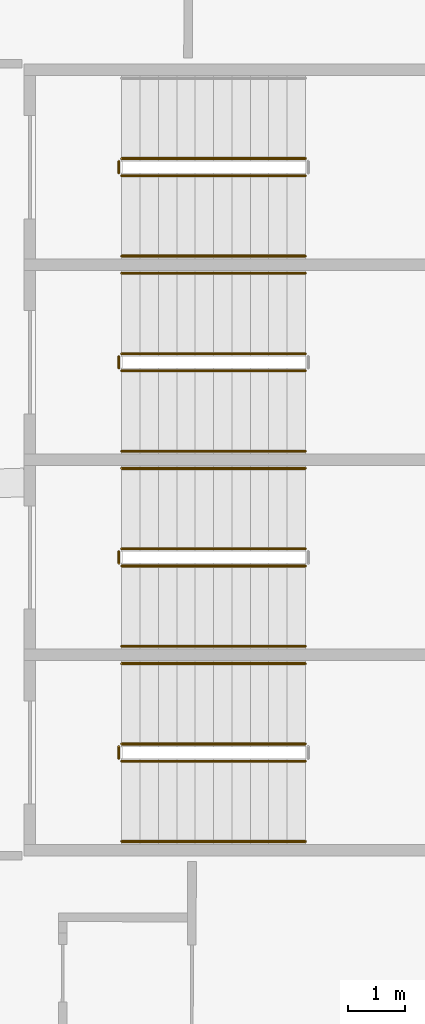
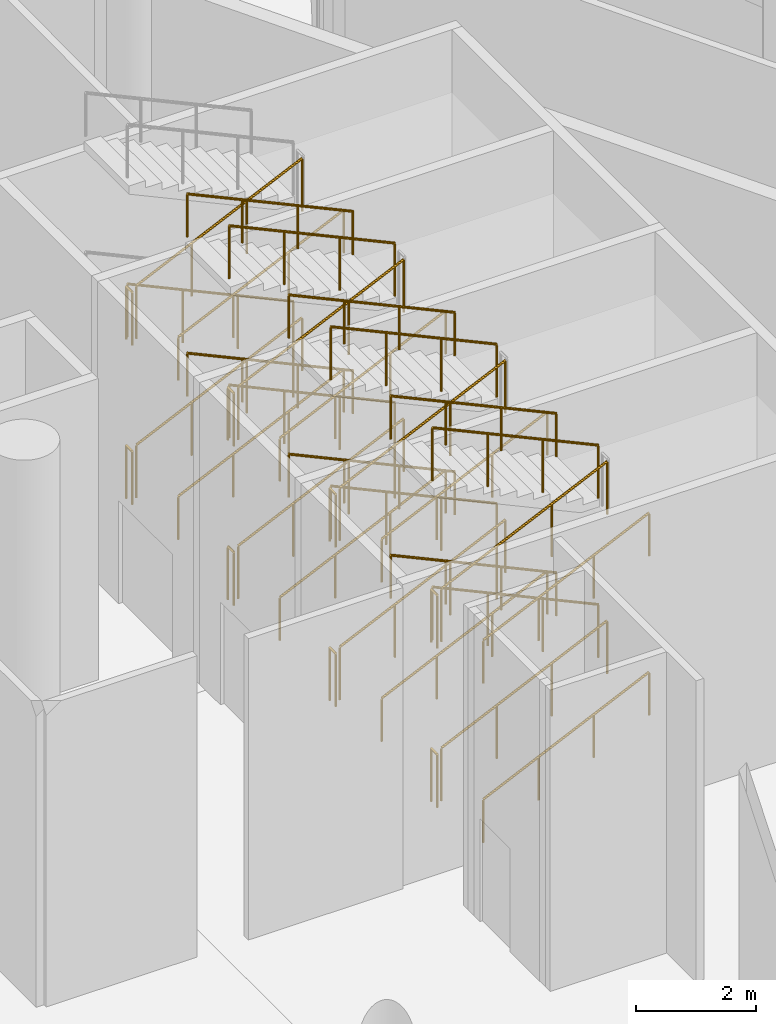
# One storey, part 242 of 255: 37 railings.
"""IFC4 building model written with IfcOpenShell, lengths in metres."""

from ifc_helpers import new_model, si_unit, direction, frame, origin, origin_2d, place, context, subcontext, project, spatial, circle, extrude, material, type_object, element, save


model = new_model("IFC4")

# Units and contexts
model_context = context("Model", 3, precision=1e-05, world=origin(), true_north=direction((0.0, 1.0)))
body_context = subcontext(model_context, "Body", "Model", "MODEL_VIEW")
ifc_project = project(units=[si_unit("LENGTHUNIT", "METRE"), si_unit("AREAUNIT", "SQUARE_METRE"), si_unit("VOLUMEUNIT", "CUBIC_METRE"), si_unit("PLANEANGLEUNIT", "RADIAN"), si_unit("MASSUNIT", "GRAM", prefix="KILO")], contexts=[model_context])

# Site, building, storey
site_placement = place(None, origin())
site = spatial("IfcSite", under=ifc_project, at=site_placement, CompositionType="ELEMENT")
building_placement = place(site_placement, origin())
building = spatial("IfcBuilding", under=site, at=building_placement, Name="Meseta Stadium", CompositionType="ELEMENT")
storey_placement = place(building_placement, origin())
storey = spatial("IfcBuildingStorey", under=building, at=storey_placement, Name="L00", CompositionType="ELEMENT", Elevation=0.0)

# Railings
ifc_material_1 = material(Name="Steel S355", Category="steel")
railing_type_1 = type_object("IfcRailingType", Name="Stair guard 1100", PredefinedType="GUARDRAIL", material=ifc_material_1)
railing_1_placement = place(storey_placement, frame((90.300048828125, 13.5, 0.147705078125)))
element("IfcRailing", 1, at=railing_1_placement, inside=storey, type_object=railing_type_1, Name="ST13 L00 guard 1", PredefinedType="GUARDRAIL", context=body_context, shape_type="SweptSolid", body=[
    extrude(circle(Radius=0.02392578125, at=origin_2d()), frame((0.0, 0.0, 1.076171875), z_axis=(0.907916804346, 0.0, 0.419150422148), x_axis=(0.0, 1.0, 0.0)), (0.0, 0.0, 1.0), 3.5244140625),
    extrude(circle(Radius=0.02099609375, at=origin_2d()), origin(), (0.0, 0.0, 1.0), 1.052001953125),
    extrude(circle(Radius=0.02099609375, at=origin_2d()), frame((1.066650390625, 0.0, 0.492431640625)), (0.0, 0.0, 1.0), 1.052001953125),
    extrude(circle(Radius=0.02099609375, at=origin_2d()), frame((2.13330078125, 0.0, 0.98486328125)), (0.0, 0.0, 1.0), 1.052001953125),
    extrude(circle(Radius=0.02099609375, at=origin_2d()), frame((3.199951171875, 0.0, 1.477294921875)), (0.0, 0.0, 1.0), 1.052001953125),
])
railing_2_placement = place(storey_placement, frame((93.5, 13.800048828125, 1.772705078125)))
element("IfcRailing", 2, at=railing_2_placement, inside=storey, type_object=railing_type_1, Name="ST13 L00 guard 3", PredefinedType="GUARDRAIL", context=body_context, shape_type="SweptSolid", body=[
    extrude(circle(Radius=0.02392578125, at=origin_2d()), frame((0.0, 0.0, 1.076171875), z_axis=(-0.907916804346, 0.0, 0.419150422148), x_axis=(0.0, -1.0, 0.0)), (0.0, 0.0, 1.0), 3.5244140625),
    extrude(circle(Radius=0.02099609375, at=origin_2d()), origin(), (0.0, 0.0, 1.0), 1.052001953125),
    extrude(circle(Radius=0.02099609375, at=origin_2d()), frame((-1.066650390625, 0.0, 0.492431640625)), (0.0, 0.0, 1.0), 1.052001953125),
    extrude(circle(Radius=0.02099609375, at=origin_2d()), frame((-2.13330078125, 0.0, 0.98486328125)), (0.0, 0.0, 1.0), 1.052001953125),
    extrude(circle(Radius=0.02099609375, at=origin_2d()), frame((-3.199951171875, 0.0, 1.477294921875)), (0.0, 0.0, 1.0), 1.052001953125),
])
railing_3_placement = place(storey_placement, frame((90.25, 13.550048828125, 3.25)))
element("IfcRailing", 3, at=railing_3_placement, inside=storey, type_object=railing_type_1, Name="ST13 L00 guard 4", PredefinedType="GUARDRAIL", context=body_context, shape_type="SweptSolid", body=[
    extrude(circle(Radius=0.02392578125, at=origin_2d()), frame((0.0, 0.0, 1.076171875), z_axis=(0.0, 1.0, 0.0), x_axis=(-1.0, 0.0, 0.0)), (0.0, 0.0, 1.0), 0.199951171875),
    extrude(circle(Radius=0.02099609375, at=origin_2d()), origin(), (0.0, 0.0, 1.0), 1.052001953125),
    extrude(circle(Radius=0.02099609375, at=origin_2d()), frame((0.0, 0.199951171875, 0.0)), (0.0, 0.0, 1.0), 1.052001953125),
])
railing_4_placement = place(storey_placement, frame((90.300048828125, 13.5, 3.397705078125)))
element("IfcRailing", 4, at=railing_4_placement, inside=storey, type_object=railing_type_1, Name="ST13 L00 guard 5", PredefinedType="GUARDRAIL", context=body_context, shape_type="SweptSolid", body=[
    extrude(circle(Radius=0.02392578125, at=origin_2d()), frame((0.0, 0.0, 1.076171875), z_axis=(0.907916804346, 0.0, 0.419150422148), x_axis=(0.0, 1.0, 0.0)), (0.0, 0.0, 1.0), 3.5244140625),
    extrude(circle(Radius=0.02099609375, at=origin_2d()), origin(), (0.0, 0.0, 1.0), 1.052001953125),
    extrude(circle(Radius=0.02099609375, at=origin_2d()), frame((1.066650390625, 0.0, 0.492431640625)), (0.0, 0.0, 1.0), 1.052001953125),
    extrude(circle(Radius=0.02099609375, at=origin_2d()), frame((2.13330078125, 0.0, 0.98486328125)), (0.0, 0.0, 1.0), 1.052001953125),
    extrude(circle(Radius=0.02099609375, at=origin_2d()), frame((3.199951171875, 0.0, 1.477294921875)), (0.0, 0.0, 1.0), 1.052001953125),
])
railing_5_placement = place(storey_placement, frame((93.5, 13.800048828125, 5.022705078125)))
element("IfcRailing", 5, at=railing_5_placement, inside=storey, type_object=railing_type_1, Name="ST13 L00 guard 7", PredefinedType="GUARDRAIL", context=body_context, shape_type="SweptSolid", body=[
    extrude(circle(Radius=0.02392578125, at=origin_2d()), frame((0.0, 0.0, 1.076171875), z_axis=(-0.907916804346, 0.0, 0.419150422148), x_axis=(0.0, -1.0, 0.0)), (0.0, 0.0, 1.0), 3.5244140625),
    extrude(circle(Radius=0.02099609375, at=origin_2d()), origin(), (0.0, 0.0, 1.0), 1.052001953125),
    extrude(circle(Radius=0.02099609375, at=origin_2d()), frame((-1.066650390625, 0.0, 0.492431640625)), (0.0, 0.0, 1.0), 1.052001953125),
    extrude(circle(Radius=0.02099609375, at=origin_2d()), frame((-2.13330078125, 0.0, 0.98486328125)), (0.0, 0.0, 1.0), 1.052001953125),
    extrude(circle(Radius=0.02099609375, at=origin_2d()), frame((-3.199951171875, 0.0, 1.477294921875)), (0.0, 0.0, 1.0), 1.052001953125),
])
railing_6_placement = place(storey_placement, frame((90.25, 13.550048828125, 0.0)))
element("IfcRailing", 6, at=railing_6_placement, inside=storey, type_object=railing_type_1, Name="ST13 L00 guard 8", PredefinedType="GUARDRAIL", context=body_context, shape_type="SweptSolid", body=[
    extrude(circle(Radius=0.02392578125, at=origin_2d()), frame((0.0, 0.0, 1.076171875), z_axis=(0.0, 1.0, 0.0), x_axis=(-1.0, 0.0, 0.0)), (0.0, 0.0, 1.0), 0.199951171875),
    extrude(circle(Radius=0.02099609375, at=origin_2d()), origin(), (0.0, 0.0, 1.0), 1.052001953125),
    extrude(circle(Radius=0.02099609375, at=origin_2d()), frame((0.0, 0.199951171875, 0.0)), (0.0, 0.0, 1.0), 1.052001953125),
])
railing_7_placement = place(storey_placement, frame((90.300048828125, 16.89990234375, 0.147705078125)))
element("IfcRailing", 7, at=railing_7_placement, inside=storey, type_object=railing_type_1, Name="ST14 L00 guard 1", PredefinedType="GUARDRAIL", context=body_context, shape_type="SweptSolid", body=[
    extrude(circle(Radius=0.02392578125, at=origin_2d()), frame((0.0, 0.0, 1.076171875), z_axis=(0.907916804346, 0.0, 0.419150422148), x_axis=(0.0, 1.0, 0.0)), (0.0, 0.0, 1.0), 3.5244140625),
    extrude(circle(Radius=0.02099609375, at=origin_2d()), origin(), (0.0, 0.0, 1.0), 1.052001953125),
    extrude(circle(Radius=0.02099609375, at=origin_2d()), frame((1.066650390625, 0.0, 0.492431640625)), (0.0, 0.0, 1.0), 1.052001953125),
    extrude(circle(Radius=0.02099609375, at=origin_2d()), frame((2.13330078125, 0.0, 0.98486328125)), (0.0, 0.0, 1.0), 1.052001953125),
    extrude(circle(Radius=0.02099609375, at=origin_2d()), frame((3.199951171875, 0.0, 1.477294921875)), (0.0, 0.0, 1.0), 1.052001953125),
])
railing_8_placement = place(storey_placement, frame((93.5, 17.199951171875, 1.772705078125)))
element("IfcRailing", 8, at=railing_8_placement, inside=storey, type_object=railing_type_1, Name="ST14 L00 guard 3", PredefinedType="GUARDRAIL", context=body_context, shape_type="SweptSolid", body=[
    extrude(circle(Radius=0.02392578125, at=origin_2d()), frame((0.0, 0.0, 1.076171875), z_axis=(-0.907916804346, 0.0, 0.419150422148), x_axis=(0.0, -1.0, 0.0)), (0.0, 0.0, 1.0), 3.5244140625),
    extrude(circle(Radius=0.02099609375, at=origin_2d()), origin(), (0.0, 0.0, 1.0), 1.052001953125),
    extrude(circle(Radius=0.02099609375, at=origin_2d()), frame((-1.066650390625, 0.0, 0.492431640625)), (0.0, 0.0, 1.0), 1.052001953125),
    extrude(circle(Radius=0.02099609375, at=origin_2d()), frame((-2.13330078125, 0.0, 0.98486328125)), (0.0, 0.0, 1.0), 1.052001953125),
    extrude(circle(Radius=0.02099609375, at=origin_2d()), frame((-3.199951171875, 0.0, 1.477294921875)), (0.0, 0.0, 1.0), 1.052001953125),
])
railing_9_placement = place(storey_placement, frame((90.25, 16.949951171875, 3.25)))
element("IfcRailing", 9, at=railing_9_placement, inside=storey, type_object=railing_type_1, Name="ST14 L00 guard 4", PredefinedType="GUARDRAIL", context=body_context, shape_type="SweptSolid", body=[
    extrude(circle(Radius=0.02392578125, at=origin_2d()), frame((0.0, 0.0, 1.076171875), z_axis=(0.0, 1.0, 0.0), x_axis=(-1.0, 0.0, 0.0)), (0.0, 0.0, 1.0), 0.199951171875),
    extrude(circle(Radius=0.02099609375, at=origin_2d()), origin(), (0.0, 0.0, 1.0), 1.052001953125),
    extrude(circle(Radius=0.02099609375, at=origin_2d()), frame((0.0, 0.199951171875, 0.0)), (0.0, 0.0, 1.0), 1.052001953125),
])
railing_10_placement = place(storey_placement, frame((90.300048828125, 16.89990234375, 3.397705078125)))
element("IfcRailing", 10, at=railing_10_placement, inside=storey, type_object=railing_type_1, Name="ST14 L00 guard 5", PredefinedType="GUARDRAIL", context=body_context, shape_type="SweptSolid", body=[
    extrude(circle(Radius=0.02392578125, at=origin_2d()), frame((0.0, 0.0, 1.076171875), z_axis=(0.907916804346, 0.0, 0.419150422148), x_axis=(0.0, 1.0, 0.0)), (0.0, 0.0, 1.0), 3.5244140625),
    extrude(circle(Radius=0.02099609375, at=origin_2d()), origin(), (0.0, 0.0, 1.0), 1.052001953125),
    extrude(circle(Radius=0.02099609375, at=origin_2d()), frame((1.066650390625, 0.0, 0.492431640625)), (0.0, 0.0, 1.0), 1.052001953125),
    extrude(circle(Radius=0.02099609375, at=origin_2d()), frame((2.13330078125, 0.0, 0.98486328125)), (0.0, 0.0, 1.0), 1.052001953125),
    extrude(circle(Radius=0.02099609375, at=origin_2d()), frame((3.199951171875, 0.0, 1.477294921875)), (0.0, 0.0, 1.0), 1.052001953125),
])
railing_11_placement = place(storey_placement, frame((93.5, 17.199951171875, 5.022705078125)))
element("IfcRailing", 11, at=railing_11_placement, inside=storey, type_object=railing_type_1, Name="ST14 L00 guard 7", PredefinedType="GUARDRAIL", context=body_context, shape_type="SweptSolid", body=[
    extrude(circle(Radius=0.02392578125, at=origin_2d()), frame((0.0, 0.0, 1.076171875), z_axis=(-0.907916804346, 0.0, 0.419150422148), x_axis=(0.0, -1.0, 0.0)), (0.0, 0.0, 1.0), 3.5244140625),
    extrude(circle(Radius=0.02099609375, at=origin_2d()), origin(), (0.0, 0.0, 1.0), 1.052001953125),
    extrude(circle(Radius=0.02099609375, at=origin_2d()), frame((-1.066650390625, 0.0, 0.492431640625)), (0.0, 0.0, 1.0), 1.052001953125),
    extrude(circle(Radius=0.02099609375, at=origin_2d()), frame((-2.13330078125, 0.0, 0.98486328125)), (0.0, 0.0, 1.0), 1.052001953125),
    extrude(circle(Radius=0.02099609375, at=origin_2d()), frame((-3.199951171875, 0.0, 1.477294921875)), (0.0, 0.0, 1.0), 1.052001953125),
])
railing_12_placement = place(storey_placement, frame((90.25, 16.949951171875, 0.0)))
element("IfcRailing", 12, at=railing_12_placement, inside=storey, type_object=railing_type_1, Name="ST14 L00 guard 8", PredefinedType="GUARDRAIL", context=body_context, shape_type="SweptSolid", body=[
    extrude(circle(Radius=0.02392578125, at=origin_2d()), frame((0.0, 0.0, 1.076171875), z_axis=(0.0, 1.0, 0.0), x_axis=(-1.0, 0.0, 0.0)), (0.0, 0.0, 1.0), 0.199951171875),
    extrude(circle(Radius=0.02099609375, at=origin_2d()), origin(), (0.0, 0.0, 1.0), 1.052001953125),
    extrude(circle(Radius=0.02099609375, at=origin_2d()), frame((0.0, 0.199951171875, 0.0)), (0.0, 0.0, 1.0), 1.052001953125),
])
railing_13_placement = place(storey_placement, frame((90.300048828125, 20.300048828125, 0.147705078125)))
element("IfcRailing", 13, at=railing_13_placement, inside=storey, type_object=railing_type_1, Name="ST15 L00 guard 1", PredefinedType="GUARDRAIL", context=body_context, shape_type="SweptSolid", body=[
    extrude(circle(Radius=0.02392578125, at=origin_2d()), frame((0.0, 0.0, 1.076171875), z_axis=(0.907916804346, 0.0, 0.419150422148), x_axis=(0.0, 1.0, 0.0)), (0.0, 0.0, 1.0), 3.5244140625),
    extrude(circle(Radius=0.02099609375, at=origin_2d()), origin(), (0.0, 0.0, 1.0), 1.052001953125),
    extrude(circle(Radius=0.02099609375, at=origin_2d()), frame((1.066650390625, 0.0, 0.492431640625)), (0.0, 0.0, 1.0), 1.052001953125),
    extrude(circle(Radius=0.02099609375, at=origin_2d()), frame((2.13330078125, 0.0, 0.98486328125)), (0.0, 0.0, 1.0), 1.052001953125),
    extrude(circle(Radius=0.02099609375, at=origin_2d()), frame((3.199951171875, 0.0, 1.477294921875)), (0.0, 0.0, 1.0), 1.052001953125),
])
railing_14_placement = place(storey_placement, frame((93.5, 20.60009765625, 1.772705078125)))
element("IfcRailing", 14, at=railing_14_placement, inside=storey, type_object=railing_type_1, Name="ST15 L00 guard 3", PredefinedType="GUARDRAIL", context=body_context, shape_type="SweptSolid", body=[
    extrude(circle(Radius=0.02392578125, at=origin_2d()), frame((0.0, 0.0, 1.076171875), z_axis=(-0.907916804346, 0.0, 0.419150422148), x_axis=(0.0, -1.0, 0.0)), (0.0, 0.0, 1.0), 3.5244140625),
    extrude(circle(Radius=0.02099609375, at=origin_2d()), origin(), (0.0, 0.0, 1.0), 1.052001953125),
    extrude(circle(Radius=0.02099609375, at=origin_2d()), frame((-1.066650390625, 0.0, 0.492431640625)), (0.0, 0.0, 1.0), 1.052001953125),
    extrude(circle(Radius=0.02099609375, at=origin_2d()), frame((-2.13330078125, 0.0, 0.98486328125)), (0.0, 0.0, 1.0), 1.052001953125),
    extrude(circle(Radius=0.02099609375, at=origin_2d()), frame((-3.199951171875, 0.0, 1.477294921875)), (0.0, 0.0, 1.0), 1.052001953125),
])
railing_15_placement = place(storey_placement, frame((90.25, 20.35009765625, 3.25)))
element("IfcRailing", 15, at=railing_15_placement, inside=storey, type_object=railing_type_1, Name="ST15 L00 guard 4", PredefinedType="GUARDRAIL", context=body_context, shape_type="SweptSolid", body=[
    extrude(circle(Radius=0.02392578125, at=origin_2d()), frame((0.0, 0.0, 1.076171875), z_axis=(0.0, 1.0, 0.0), x_axis=(-1.0, 0.0, 0.0)), (0.0, 0.0, 1.0), 0.199951171875),
    extrude(circle(Radius=0.02099609375, at=origin_2d()), origin(), (0.0, 0.0, 1.0), 1.052001953125),
    extrude(circle(Radius=0.02099609375, at=origin_2d()), frame((0.0, 0.199951171875, 0.0)), (0.0, 0.0, 1.0), 1.052001953125),
])
railing_16_placement = place(storey_placement, frame((90.300048828125, 20.300048828125, 3.397705078125)))
element("IfcRailing", 16, at=railing_16_placement, inside=storey, type_object=railing_type_1, Name="ST15 L00 guard 5", PredefinedType="GUARDRAIL", context=body_context, shape_type="SweptSolid", body=[
    extrude(circle(Radius=0.02392578125, at=origin_2d()), frame((0.0, 0.0, 1.076171875), z_axis=(0.907916804346, 0.0, 0.419150422148), x_axis=(0.0, 1.0, 0.0)), (0.0, 0.0, 1.0), 3.5244140625),
    extrude(circle(Radius=0.02099609375, at=origin_2d()), origin(), (0.0, 0.0, 1.0), 1.052001953125),
    extrude(circle(Radius=0.02099609375, at=origin_2d()), frame((1.066650390625, 0.0, 0.492431640625)), (0.0, 0.0, 1.0), 1.052001953125),
    extrude(circle(Radius=0.02099609375, at=origin_2d()), frame((2.13330078125, 0.0, 0.98486328125)), (0.0, 0.0, 1.0), 1.052001953125),
    extrude(circle(Radius=0.02099609375, at=origin_2d()), frame((3.199951171875, 0.0, 1.477294921875)), (0.0, 0.0, 1.0), 1.052001953125),
])
railing_17_placement = place(storey_placement, frame((93.5, 20.60009765625, 5.022705078125)))
element("IfcRailing", 17, at=railing_17_placement, inside=storey, type_object=railing_type_1, Name="ST15 L00 guard 7", PredefinedType="GUARDRAIL", context=body_context, shape_type="SweptSolid", body=[
    extrude(circle(Radius=0.02392578125, at=origin_2d()), frame((0.0, 0.0, 1.076171875), z_axis=(-0.907916804346, 0.0, 0.419150422148), x_axis=(0.0, -1.0, 0.0)), (0.0, 0.0, 1.0), 3.5244140625),
    extrude(circle(Radius=0.02099609375, at=origin_2d()), origin(), (0.0, 0.0, 1.0), 1.052001953125),
    extrude(circle(Radius=0.02099609375, at=origin_2d()), frame((-1.066650390625, 0.0, 0.492431640625)), (0.0, 0.0, 1.0), 1.052001953125),
    extrude(circle(Radius=0.02099609375, at=origin_2d()), frame((-2.13330078125, 0.0, 0.98486328125)), (0.0, 0.0, 1.0), 1.052001953125),
    extrude(circle(Radius=0.02099609375, at=origin_2d()), frame((-3.199951171875, 0.0, 1.477294921875)), (0.0, 0.0, 1.0), 1.052001953125),
])
railing_18_placement = place(storey_placement, frame((90.25, 20.35009765625, 0.0)))
element("IfcRailing", 18, at=railing_18_placement, inside=storey, type_object=railing_type_1, Name="ST15 L00 guard 8", PredefinedType="GUARDRAIL", context=body_context, shape_type="SweptSolid", body=[
    extrude(circle(Radius=0.02392578125, at=origin_2d()), frame((0.0, 0.0, 1.076171875), z_axis=(0.0, 1.0, 0.0), x_axis=(-1.0, 0.0, 0.0)), (0.0, 0.0, 1.0), 0.199951171875),
    extrude(circle(Radius=0.02099609375, at=origin_2d()), origin(), (0.0, 0.0, 1.0), 1.052001953125),
    extrude(circle(Radius=0.02099609375, at=origin_2d()), frame((0.0, 0.199951171875, 0.0)), (0.0, 0.0, 1.0), 1.052001953125),
])
railing_19_placement = place(storey_placement, frame((90.300048828125, 23.699951171875, 0.147705078125)))
element("IfcRailing", 19, at=railing_19_placement, inside=storey, type_object=railing_type_1, Name="ST16 L00 guard 1", PredefinedType="GUARDRAIL", context=body_context, shape_type="SweptSolid", body=[
    extrude(circle(Radius=0.02392578125, at=origin_2d()), frame((0.0, 0.0, 1.076171875), z_axis=(0.907916804346, 0.0, 0.419150422148), x_axis=(0.0, 1.0, 0.0)), (0.0, 0.0, 1.0), 3.5244140625),
    extrude(circle(Radius=0.02099609375, at=origin_2d()), origin(), (0.0, 0.0, 1.0), 1.052001953125),
    extrude(circle(Radius=0.02099609375, at=origin_2d()), frame((1.066650390625, 0.0, 0.492431640625)), (0.0, 0.0, 1.0), 1.052001953125),
    extrude(circle(Radius=0.02099609375, at=origin_2d()), frame((2.13330078125, 0.0, 0.98486328125)), (0.0, 0.0, 1.0), 1.052001953125),
    extrude(circle(Radius=0.02099609375, at=origin_2d()), frame((3.199951171875, 0.0, 1.477294921875)), (0.0, 0.0, 1.0), 1.052001953125),
])
railing_20_placement = place(storey_placement, frame((93.5, 24.0, 1.772705078125)))
element("IfcRailing", 20, at=railing_20_placement, inside=storey, type_object=railing_type_1, Name="ST16 L00 guard 3", PredefinedType="GUARDRAIL", context=body_context, shape_type="SweptSolid", body=[
    extrude(circle(Radius=0.02392578125, at=origin_2d()), frame((0.0, 0.0, 1.076171875), z_axis=(-0.907916804346, 0.0, 0.419150422148), x_axis=(0.0, -1.0, 0.0)), (0.0, 0.0, 1.0), 3.5244140625),
    extrude(circle(Radius=0.02099609375, at=origin_2d()), origin(), (0.0, 0.0, 1.0), 1.052001953125),
    extrude(circle(Radius=0.02099609375, at=origin_2d()), frame((-1.066650390625, 0.0, 0.492431640625)), (0.0, 0.0, 1.0), 1.052001953125),
    extrude(circle(Radius=0.02099609375, at=origin_2d()), frame((-2.13330078125, 0.0, 0.98486328125)), (0.0, 0.0, 1.0), 1.052001953125),
    extrude(circle(Radius=0.02099609375, at=origin_2d()), frame((-3.199951171875, 0.0, 1.477294921875)), (0.0, 0.0, 1.0), 1.052001953125),
])
railing_21_placement = place(storey_placement, frame((90.25, 23.75, 3.25)))
element("IfcRailing", 21, at=railing_21_placement, inside=storey, type_object=railing_type_1, Name="ST16 L00 guard 4", PredefinedType="GUARDRAIL", context=body_context, shape_type="SweptSolid", body=[
    extrude(circle(Radius=0.02392578125, at=origin_2d()), frame((0.0, 0.0, 1.076171875), z_axis=(0.0, 1.0, 0.0), x_axis=(-1.0, 0.0, 0.0)), (0.0, 0.0, 1.0), 0.199951171875),
    extrude(circle(Radius=0.02099609375, at=origin_2d()), origin(), (0.0, 0.0, 1.0), 1.052001953125),
    extrude(circle(Radius=0.02099609375, at=origin_2d()), frame((0.0, 0.199951171875, 0.0)), (0.0, 0.0, 1.0), 1.052001953125),
])
railing_22_placement = place(storey_placement, frame((90.300048828125, 23.699951171875, 3.397705078125)))
element("IfcRailing", 22, at=railing_22_placement, inside=storey, type_object=railing_type_1, Name="ST16 L00 guard 5", PredefinedType="GUARDRAIL", context=body_context, shape_type="SweptSolid", body=[
    extrude(circle(Radius=0.02392578125, at=origin_2d()), frame((0.0, 0.0, 1.076171875), z_axis=(0.907916804346, 0.0, 0.419150422148), x_axis=(0.0, 1.0, 0.0)), (0.0, 0.0, 1.0), 3.5244140625),
    extrude(circle(Radius=0.02099609375, at=origin_2d()), origin(), (0.0, 0.0, 1.0), 1.052001953125),
    extrude(circle(Radius=0.02099609375, at=origin_2d()), frame((1.066650390625, 0.0, 0.492431640625)), (0.0, 0.0, 1.0), 1.052001953125),
    extrude(circle(Radius=0.02099609375, at=origin_2d()), frame((2.13330078125, 0.0, 0.98486328125)), (0.0, 0.0, 1.0), 1.052001953125),
    extrude(circle(Radius=0.02099609375, at=origin_2d()), frame((3.199951171875, 0.0, 1.477294921875)), (0.0, 0.0, 1.0), 1.052001953125),
])
railing_23_placement = place(storey_placement, frame((90.25, 23.75, 0.0)))
element("IfcRailing", 23, at=railing_23_placement, inside=storey, type_object=railing_type_1, Name="ST16 L00 guard 8", PredefinedType="GUARDRAIL", context=body_context, shape_type="SweptSolid", body=[
    extrude(circle(Radius=0.02392578125, at=origin_2d()), frame((0.0, 0.0, 1.076171875), z_axis=(0.0, 1.0, 0.0), x_axis=(-1.0, 0.0, 0.0)), (0.0, 0.0, 1.0), 0.199951171875),
    extrude(circle(Radius=0.02099609375, at=origin_2d()), origin(), (0.0, 0.0, 1.0), 1.052001953125),
    extrude(circle(Radius=0.02099609375, at=origin_2d()), frame((0.0, 0.199951171875, 0.0)), (0.0, 0.0, 1.0), 1.052001953125),
])
ifc_material_2 = material(Name="Steel S355", Category="steel")
railing_type_2 = type_object("IfcRailingType", Name="Stair handrail 900", PredefinedType="HANDRAIL", material=ifc_material_2)
railing_24_placement = place(storey_placement, frame((90.300048828125, 12.10009765625, 0.147705078125)))
element("IfcRailing", 24, at=railing_24_placement, inside=storey, type_object=railing_type_2, Name="ST13 L00 handrail 1", PredefinedType="HANDRAIL", context=body_context, shape_type="SweptSolid", body=[
    extrude(circle(Radius=0.02392578125, at=origin_2d()), frame((0.0, 0.0, 0.8759765625), z_axis=(0.907916804346, 0.0, 0.419150422148), x_axis=(0.0, 1.0, 0.0)), (0.0, 0.0, 1.0), 3.5244140625),
    extrude(circle(Radius=0.02099609375, at=origin_2d()), origin(), (0.0, 0.0, 1.0), 0.851806640625),
    extrude(circle(Radius=0.02099609375, at=origin_2d()), frame((1.066650390625, 0.0, 0.492431640625)), (0.0, 0.0, 1.0), 0.851806640625),
    extrude(circle(Radius=0.02099609375, at=origin_2d()), frame((2.13330078125, 0.0, 0.98486328125)), (0.0, 0.0, 1.0), 0.851806640625),
    extrude(circle(Radius=0.02099609375, at=origin_2d()), frame((3.199951171875, 0.0, 1.477294921875)), (0.0, 0.0, 1.0), 0.851806640625),
])
railing_25_placement = place(storey_placement, frame((93.5, 15.199951171875, 1.772705078125)))
element("IfcRailing", 25, at=railing_25_placement, inside=storey, type_object=railing_type_2, Name="ST13 L00 handrail 2", PredefinedType="HANDRAIL", context=body_context, shape_type="SweptSolid", body=[
    extrude(circle(Radius=0.02392578125, at=origin_2d()), frame((0.0, 0.0, 0.8759765625), z_axis=(-0.907916804346, 0.0, 0.419150422148), x_axis=(0.0, -1.0, 0.0)), (0.0, 0.0, 1.0), 3.5244140625),
    extrude(circle(Radius=0.02099609375, at=origin_2d()), origin(), (0.0, 0.0, 1.0), 0.851806640625),
    extrude(circle(Radius=0.02099609375, at=origin_2d()), frame((-1.066650390625, 0.0, 0.492431640625)), (0.0, 0.0, 1.0), 0.851806640625),
    extrude(circle(Radius=0.02099609375, at=origin_2d()), frame((-2.13330078125, 0.0, 0.98486328125)), (0.0, 0.0, 1.0), 0.851806640625),
    extrude(circle(Radius=0.02099609375, at=origin_2d()), frame((-3.199951171875, 0.0, 1.477294921875)), (0.0, 0.0, 1.0), 0.851806640625),
])
railing_26_placement = place(storey_placement, frame((90.300048828125, 12.10009765625, 3.397705078125)))
element("IfcRailing", 26, at=railing_26_placement, inside=storey, type_object=railing_type_2, Name="ST13 L00 handrail 3", PredefinedType="HANDRAIL", context=body_context, shape_type="SweptSolid", body=[
    extrude(circle(Radius=0.02392578125, at=origin_2d()), frame((0.0, 0.0, 0.8759765625), z_axis=(0.907916804346, 0.0, 0.419150422148), x_axis=(0.0, 1.0, 0.0)), (0.0, 0.0, 1.0), 3.5244140625),
    extrude(circle(Radius=0.02099609375, at=origin_2d()), origin(), (0.0, 0.0, 1.0), 0.851806640625),
    extrude(circle(Radius=0.02099609375, at=origin_2d()), frame((1.066650390625, 0.0, 0.492431640625)), (0.0, 0.0, 1.0), 0.851806640625),
    extrude(circle(Radius=0.02099609375, at=origin_2d()), frame((2.13330078125, 0.0, 0.98486328125)), (0.0, 0.0, 1.0), 0.851806640625),
    extrude(circle(Radius=0.02099609375, at=origin_2d()), frame((3.199951171875, 0.0, 1.477294921875)), (0.0, 0.0, 1.0), 0.851806640625),
])
railing_27_placement = place(storey_placement, frame((93.5, 15.199951171875, 5.022705078125)))
element("IfcRailing", 27, at=railing_27_placement, inside=storey, type_object=railing_type_2, Name="ST13 L00 handrail 4", PredefinedType="HANDRAIL", context=body_context, shape_type="SweptSolid", body=[
    extrude(circle(Radius=0.02392578125, at=origin_2d()), frame((0.0, 0.0, 0.8759765625), z_axis=(-0.907916804346, 0.0, 0.419150422148), x_axis=(0.0, -1.0, 0.0)), (0.0, 0.0, 1.0), 3.5244140625),
    extrude(circle(Radius=0.02099609375, at=origin_2d()), origin(), (0.0, 0.0, 1.0), 0.851806640625),
    extrude(circle(Radius=0.02099609375, at=origin_2d()), frame((-1.066650390625, 0.0, 0.492431640625)), (0.0, 0.0, 1.0), 0.851806640625),
    extrude(circle(Radius=0.02099609375, at=origin_2d()), frame((-2.13330078125, 0.0, 0.98486328125)), (0.0, 0.0, 1.0), 0.851806640625),
    extrude(circle(Radius=0.02099609375, at=origin_2d()), frame((-3.199951171875, 0.0, 1.477294921875)), (0.0, 0.0, 1.0), 0.851806640625),
])
railing_28_placement = place(storey_placement, frame((90.300048828125, 15.5, 0.147705078125)))
element("IfcRailing", 28, at=railing_28_placement, inside=storey, type_object=railing_type_2, Name="ST14 L00 handrail 1", PredefinedType="HANDRAIL", context=body_context, shape_type="SweptSolid", body=[
    extrude(circle(Radius=0.02392578125, at=origin_2d()), frame((0.0, 0.0, 0.8759765625), z_axis=(0.907916804346, 0.0, 0.419150422148), x_axis=(0.0, 1.0, 0.0)), (0.0, 0.0, 1.0), 3.5244140625),
    extrude(circle(Radius=0.02099609375, at=origin_2d()), origin(), (0.0, 0.0, 1.0), 0.851806640625),
    extrude(circle(Radius=0.02099609375, at=origin_2d()), frame((1.066650390625, 0.0, 0.492431640625)), (0.0, 0.0, 1.0), 0.851806640625),
    extrude(circle(Radius=0.02099609375, at=origin_2d()), frame((2.13330078125, 0.0, 0.98486328125)), (0.0, 0.0, 1.0), 0.851806640625),
    extrude(circle(Radius=0.02099609375, at=origin_2d()), frame((3.199951171875, 0.0, 1.477294921875)), (0.0, 0.0, 1.0), 0.851806640625),
])
railing_29_placement = place(storey_placement, frame((93.5, 18.60009765625, 1.772705078125)))
element("IfcRailing", 29, at=railing_29_placement, inside=storey, type_object=railing_type_2, Name="ST14 L00 handrail 2", PredefinedType="HANDRAIL", context=body_context, shape_type="SweptSolid", body=[
    extrude(circle(Radius=0.02392578125, at=origin_2d()), frame((0.0, 0.0, 0.8759765625), z_axis=(-0.907916804346, 0.0, 0.419150422148), x_axis=(0.0, -1.0, 0.0)), (0.0, 0.0, 1.0), 3.5244140625),
    extrude(circle(Radius=0.02099609375, at=origin_2d()), origin(), (0.0, 0.0, 1.0), 0.851806640625),
    extrude(circle(Radius=0.02099609375, at=origin_2d()), frame((-1.066650390625, 0.0, 0.492431640625)), (0.0, 0.0, 1.0), 0.851806640625),
    extrude(circle(Radius=0.02099609375, at=origin_2d()), frame((-2.13330078125, 0.0, 0.98486328125)), (0.0, 0.0, 1.0), 0.851806640625),
    extrude(circle(Radius=0.02099609375, at=origin_2d()), frame((-3.199951171875, 0.0, 1.477294921875)), (0.0, 0.0, 1.0), 0.851806640625),
])
railing_30_placement = place(storey_placement, frame((90.300048828125, 15.5, 3.397705078125)))
element("IfcRailing", 30, at=railing_30_placement, inside=storey, type_object=railing_type_2, Name="ST14 L00 handrail 3", PredefinedType="HANDRAIL", context=body_context, shape_type="SweptSolid", body=[
    extrude(circle(Radius=0.02392578125, at=origin_2d()), frame((0.0, 0.0, 0.8759765625), z_axis=(0.907916804346, 0.0, 0.419150422148), x_axis=(0.0, 1.0, 0.0)), (0.0, 0.0, 1.0), 3.5244140625),
    extrude(circle(Radius=0.02099609375, at=origin_2d()), origin(), (0.0, 0.0, 1.0), 0.851806640625),
    extrude(circle(Radius=0.02099609375, at=origin_2d()), frame((1.066650390625, 0.0, 0.492431640625)), (0.0, 0.0, 1.0), 0.851806640625),
    extrude(circle(Radius=0.02099609375, at=origin_2d()), frame((2.13330078125, 0.0, 0.98486328125)), (0.0, 0.0, 1.0), 0.851806640625),
    extrude(circle(Radius=0.02099609375, at=origin_2d()), frame((3.199951171875, 0.0, 1.477294921875)), (0.0, 0.0, 1.0), 0.851806640625),
])
railing_31_placement = place(storey_placement, frame((93.5, 18.60009765625, 5.022705078125)))
element("IfcRailing", 31, at=railing_31_placement, inside=storey, type_object=railing_type_2, Name="ST14 L00 handrail 4", PredefinedType="HANDRAIL", context=body_context, shape_type="SweptSolid", body=[
    extrude(circle(Radius=0.02392578125, at=origin_2d()), frame((0.0, 0.0, 0.8759765625), z_axis=(-0.907916804346, 0.0, 0.419150422148), x_axis=(0.0, -1.0, 0.0)), (0.0, 0.0, 1.0), 3.5244140625),
    extrude(circle(Radius=0.02099609375, at=origin_2d()), origin(), (0.0, 0.0, 1.0), 0.851806640625),
    extrude(circle(Radius=0.02099609375, at=origin_2d()), frame((-1.066650390625, 0.0, 0.492431640625)), (0.0, 0.0, 1.0), 0.851806640625),
    extrude(circle(Radius=0.02099609375, at=origin_2d()), frame((-2.13330078125, 0.0, 0.98486328125)), (0.0, 0.0, 1.0), 0.851806640625),
    extrude(circle(Radius=0.02099609375, at=origin_2d()), frame((-3.199951171875, 0.0, 1.477294921875)), (0.0, 0.0, 1.0), 0.851806640625),
])
railing_32_placement = place(storey_placement, frame((90.300048828125, 18.89990234375, 0.147705078125)))
element("IfcRailing", 32, at=railing_32_placement, inside=storey, type_object=railing_type_2, Name="ST15 L00 handrail 1", PredefinedType="HANDRAIL", context=body_context, shape_type="SweptSolid", body=[
    extrude(circle(Radius=0.02392578125, at=origin_2d()), frame((0.0, 0.0, 0.8759765625), z_axis=(0.907916804346, 0.0, 0.419150422148), x_axis=(0.0, 1.0, 0.0)), (0.0, 0.0, 1.0), 3.5244140625),
    extrude(circle(Radius=0.02099609375, at=origin_2d()), origin(), (0.0, 0.0, 1.0), 0.851806640625),
    extrude(circle(Radius=0.02099609375, at=origin_2d()), frame((1.066650390625, 0.0, 0.492431640625)), (0.0, 0.0, 1.0), 0.851806640625),
    extrude(circle(Radius=0.02099609375, at=origin_2d()), frame((2.13330078125, 0.0, 0.98486328125)), (0.0, 0.0, 1.0), 0.851806640625),
    extrude(circle(Radius=0.02099609375, at=origin_2d()), frame((3.199951171875, 0.0, 1.477294921875)), (0.0, 0.0, 1.0), 0.851806640625),
])
railing_33_placement = place(storey_placement, frame((93.5, 22.0, 1.772705078125)))
element("IfcRailing", 33, at=railing_33_placement, inside=storey, type_object=railing_type_2, Name="ST15 L00 handrail 2", PredefinedType="HANDRAIL", context=body_context, shape_type="SweptSolid", body=[
    extrude(circle(Radius=0.02392578125, at=origin_2d()), frame((0.0, 0.0, 0.8759765625), z_axis=(-0.907916804346, 0.0, 0.419150422148), x_axis=(0.0, -1.0, 0.0)), (0.0, 0.0, 1.0), 3.5244140625),
    extrude(circle(Radius=0.02099609375, at=origin_2d()), origin(), (0.0, 0.0, 1.0), 0.851806640625),
    extrude(circle(Radius=0.02099609375, at=origin_2d()), frame((-1.066650390625, 0.0, 0.492431640625)), (0.0, 0.0, 1.0), 0.851806640625),
    extrude(circle(Radius=0.02099609375, at=origin_2d()), frame((-2.13330078125, 0.0, 0.98486328125)), (0.0, 0.0, 1.0), 0.851806640625),
    extrude(circle(Radius=0.02099609375, at=origin_2d()), frame((-3.199951171875, 0.0, 1.477294921875)), (0.0, 0.0, 1.0), 0.851806640625),
])
railing_34_placement = place(storey_placement, frame((90.300048828125, 18.89990234375, 3.397705078125)))
element("IfcRailing", 34, at=railing_34_placement, inside=storey, type_object=railing_type_2, Name="ST15 L00 handrail 3", PredefinedType="HANDRAIL", context=body_context, shape_type="SweptSolid", body=[
    extrude(circle(Radius=0.02392578125, at=origin_2d()), frame((0.0, 0.0, 0.8759765625), z_axis=(0.907916804346, 0.0, 0.419150422148), x_axis=(0.0, 1.0, 0.0)), (0.0, 0.0, 1.0), 3.5244140625),
    extrude(circle(Radius=0.02099609375, at=origin_2d()), origin(), (0.0, 0.0, 1.0), 0.851806640625),
    extrude(circle(Radius=0.02099609375, at=origin_2d()), frame((1.066650390625, 0.0, 0.492431640625)), (0.0, 0.0, 1.0), 0.851806640625),
    extrude(circle(Radius=0.02099609375, at=origin_2d()), frame((2.13330078125, 0.0, 0.98486328125)), (0.0, 0.0, 1.0), 0.851806640625),
    extrude(circle(Radius=0.02099609375, at=origin_2d()), frame((3.199951171875, 0.0, 1.477294921875)), (0.0, 0.0, 1.0), 0.851806640625),
])
railing_35_placement = place(storey_placement, frame((93.5, 22.0, 5.022705078125)))
element("IfcRailing", 35, at=railing_35_placement, inside=storey, type_object=railing_type_2, Name="ST15 L00 handrail 4", PredefinedType="HANDRAIL", context=body_context, shape_type="SweptSolid", body=[
    extrude(circle(Radius=0.02392578125, at=origin_2d()), frame((0.0, 0.0, 0.8759765625), z_axis=(-0.907916804346, 0.0, 0.419150422148), x_axis=(0.0, -1.0, 0.0)), (0.0, 0.0, 1.0), 3.5244140625),
    extrude(circle(Radius=0.02099609375, at=origin_2d()), origin(), (0.0, 0.0, 1.0), 0.851806640625),
    extrude(circle(Radius=0.02099609375, at=origin_2d()), frame((-1.066650390625, 0.0, 0.492431640625)), (0.0, 0.0, 1.0), 0.851806640625),
    extrude(circle(Radius=0.02099609375, at=origin_2d()), frame((-2.13330078125, 0.0, 0.98486328125)), (0.0, 0.0, 1.0), 0.851806640625),
    extrude(circle(Radius=0.02099609375, at=origin_2d()), frame((-3.199951171875, 0.0, 1.477294921875)), (0.0, 0.0, 1.0), 0.851806640625),
])
for number, where, name in (
    (36, (90.300048828125, 22.300048828125, 0.147705078125), "ST16 L00 handrail 1"),
    (37, (90.300048828125, 22.300048828125, 3.397705078125), "ST16 L00 handrail 3"),
):
    element("IfcRailing", number, at=place(storey_placement, frame(where)), inside=storey, type_object=railing_type_2, Name=name, PredefinedType="HANDRAIL", context=body_context, shape_type="SweptSolid", body=[
        extrude(circle(Radius=0.02392578125, at=origin_2d()), frame((0.0, 0.0, 0.8759765625), z_axis=(0.907916804346, 0.0, 0.419150422148), x_axis=(0.0, 1.0, 0.0)), (0.0, 0.0, 1.0), 3.5244140625),
        extrude(circle(Radius=0.02099609375, at=origin_2d()), origin(), (0.0, 0.0, 1.0), 0.851806640625),
        extrude(circle(Radius=0.02099609375, at=origin_2d()), frame((1.066650390625, 0.0, 0.492431640625)), (0.0, 0.0, 1.0), 0.851806640625),
        extrude(circle(Radius=0.02099609375, at=origin_2d()), frame((2.13330078125, 0.0, 0.98486328125)), (0.0, 0.0, 1.0), 0.851806640625),
        extrude(circle(Radius=0.02099609375, at=origin_2d()), frame((3.199951171875, 0.0, 1.477294921875)), (0.0, 0.0, 1.0), 0.851806640625),
    ])

save(model, "model.ifc")
